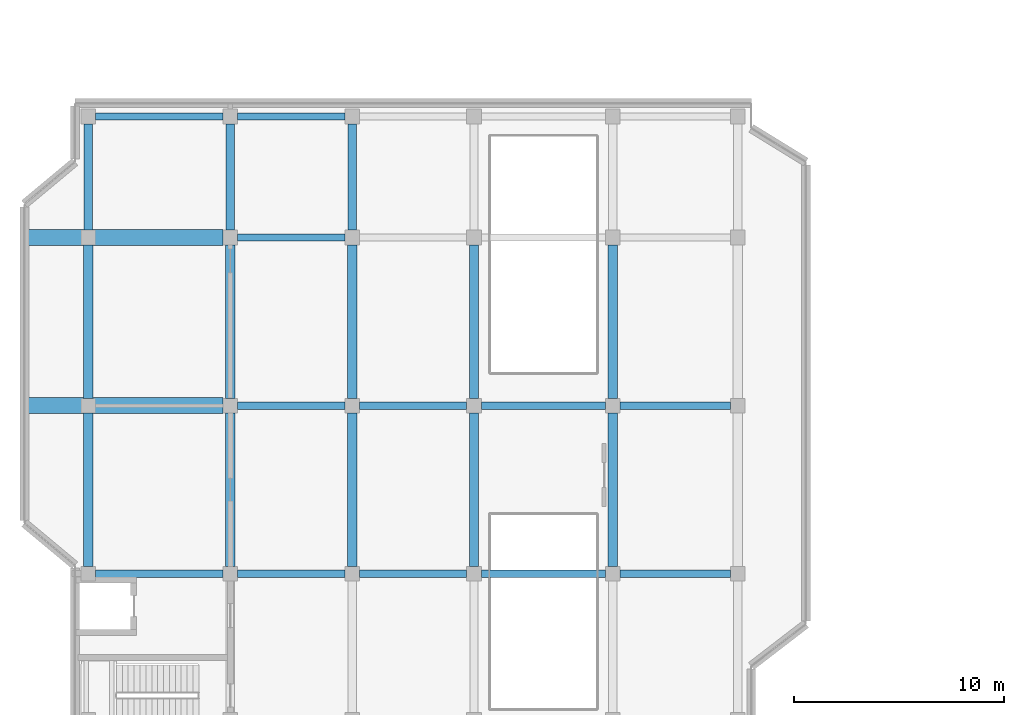
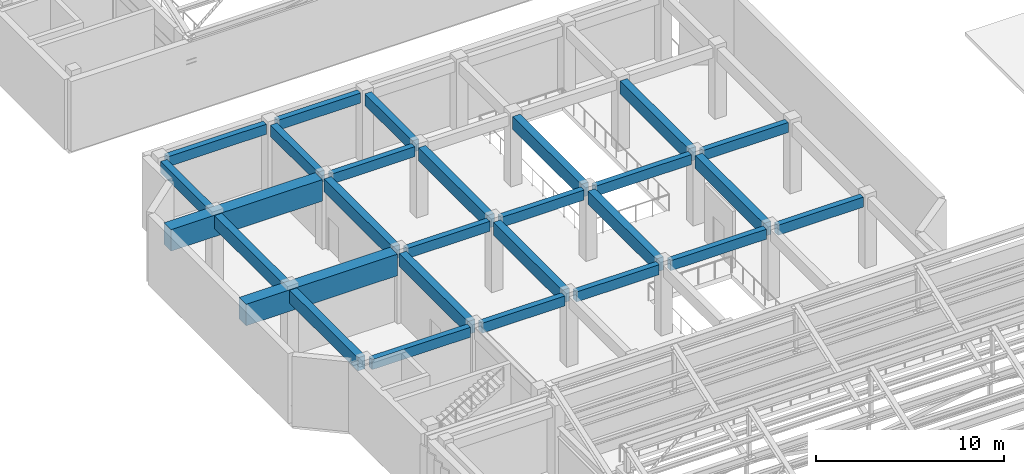
# One storey, part 16 of 76: 27 beams.
"""IFC4 building model written with IfcOpenShell, lengths in metres."""

from ifc_helpers import new_model, si_unit, direction, frame, origin, origin_2d, place, context, subcontext, project, spatial, rectangle, extrude, material, material_profile, profile_set, type_object, element, save


model = new_model("IFC4")

# Units and contexts
model_context = context("Model", 3, precision=1e-05, world=origin(), true_north=direction((0.0, 1.0)))
body_context = subcontext(model_context, "Body", "Model", "MODEL_VIEW")
ifc_project = project(units=[si_unit("LENGTHUNIT", "METRE"), si_unit("AREAUNIT", "SQUARE_METRE"), si_unit("VOLUMEUNIT", "CUBIC_METRE"), si_unit("PLANEANGLEUNIT", "RADIAN"), si_unit("MASSUNIT", "GRAM", prefix="KILO")], contexts=[model_context])

# Site, building, storey
site_placement = place(None, origin())
site = spatial("IfcSite", under=ifc_project, at=site_placement, CompositionType="ELEMENT")
building_placement = place(site_placement, origin())
building = spatial("IfcBuilding", under=site, at=building_placement, Name="Cinchona Park Media Centre", CompositionType="ELEMENT")
storey_placement = place(building_placement, frame((0.0, 0.0, 15.60009765625)))
storey = spatial("IfcBuildingStorey", under=building, at=storey_placement, Name="L03", CompositionType="ELEMENT", Elevation=15.60009765625)

# Beams
ifc_material_1 = material(Name="Concrete C35/45", Category="concrete")
ifc_material_profile_1 = material_profile(ifc_material_1, rectangle(XDim=0.39990234375, YDim=0.75, at=origin_2d()), Name="RB 400X750")
ifc_profile_set_1 = profile_set([ifc_material_profile_1], Name="Concrete C35/45")
beam_type_1 = type_object("IfcBeamType", Name="BEAM-B01-RB400X750", PredefinedType="BEAM", material=ifc_profile_set_1)
for number, where, z_axis, x_axis, name in (
    (1, (8.639892578125, 87.949951171875, 4.1748046875), (0.0, 1.0, 0.0), (-1.0, 0.0, 0.0), "Girder B01 L03"),
    (2, (15.39990234375, 87.949951171875, 4.1748046875), (0.0, 1.0, 0.0), (-1.0, 0.0, 0.0), "Girder B01 L03"),
    (3, (21.199951171875, 87.949951171875, 4.1748046875), (0.0, 1.0, 0.0), (-1.0, 0.0, 0.0), "Girder B01 L03"),
):
    element("IfcBeam", number, at=place(storey_placement, frame(where, z_axis=z_axis, x_axis=x_axis)), inside=storey, type_object=beam_type_1, Name=name, PredefinedType="BEAM", context=body_context, shape_type="SweptSolid", body=[
        extrude(rectangle(XDim=0.39990234375, YDim=0.75, at=origin_2d()), origin(), (0.0, 0.0, 1.0), 5.06005859375),
    ])
ifc_material_2 = material(Name="Concrete C35/45", Category="concrete")
ifc_material_profile_2 = material_profile(ifc_material_2, rectangle(XDim=0.449951171875, YDim=0.85009765625, at=origin_2d()), Name="RB 450X850")
ifc_profile_set_2 = profile_set([ifc_material_profile_2], Name="Concrete C35/45")
beam_type_2 = type_object("IfcBeamType", Name="BEAM-B02-RB450X850", PredefinedType="BEAM", material=ifc_profile_set_2)
for number, where, z_axis, x_axis, name in (
    (4, (8.639892578125, 71.949951171875, 4.125), (0.0, 1.0, 0.0), (-1.0, 0.0, 0.0), "Girder B02 L03"),
    (5, (8.639892578125, 79.949951171875, 4.125), (0.0, 1.0, 0.0), (-1.0, 0.0, 0.0), "Girder B02 L03"),
    (6, (15.39990234375, 71.949951171875, 4.125), (0.0, 1.0, 0.0), (-1.0, 0.0, 0.0), "Girder B02 L03"),
    (7, (15.39990234375, 79.949951171875, 4.125), (0.0, 1.0, 0.0), (-1.0, 0.0, 0.0), "Girder B02 L03"),
    (8, (21.199951171875, 71.949951171875, 4.125), (0.0, 1.0, 0.0), (-1.0, 0.0, 0.0), "Girder B02 L03"),
    (9, (21.199951171875, 79.949951171875, 4.125), (0.0, 1.0, 0.0), (-1.0, 0.0, 0.0), "Girder B02 L03"),
    (10, (27.0, 71.949951171875, 4.125), (0.0, 1.0, 0.0), (-1.0, 0.0, 0.0), "Girder B02 L03"),
    (11, (27.0, 79.949951171875, 4.125), (0.0, 1.0, 0.0), (-1.0, 0.0, 0.0), "Girder B02 L03"),
    (12, (33.60009765625, 71.949951171875, 4.125), (0.0, 1.0, 0.0), (-1.0, 0.0, 0.0), "Girder B02 L03"),
    (13, (33.60009765625, 79.949951171875, 4.125), (0.0, 1.0, 0.0), (-1.0, 0.0, 0.0), "Girder B02 L03"),
):
    element("IfcBeam", number, at=place(storey_placement, frame(where, z_axis=z_axis, x_axis=x_axis)), inside=storey, type_object=beam_type_2, Name=name, PredefinedType="BEAM", context=body_context, shape_type="SweptSolid", body=[
        extrude(rectangle(XDim=0.449951171875, YDim=0.85009765625, at=origin_2d()), origin(), (0.0, 0.0, 1.0), 7.300048828125),
    ])
ifc_material_3 = material(Name="Concrete C35/45", Category="concrete")
ifc_material_profile_3 = material_profile(ifc_material_3, rectangle(XDim=0.35009765625, YDim=0.64990234375, at=origin_2d()), Name="RB 350X650")
ifc_profile_set_3 = profile_set([ifc_material_profile_3], Name="Concrete C35/45")
beam_type_3 = type_object("IfcBeamType", Name="BEAM-B04-RB350X650", PredefinedType="BEAM", material=ifc_profile_set_3)
beam_1_placement = place(storey_placement, frame((8.989990234375, 71.60009765625, 4.224853515625), z_axis=(1.0, 0.0, 0.0), x_axis=(0.0, 1.0, 0.0)))
element("IfcBeam", 14, at=beam_1_placement, inside=storey, type_object=beam_type_3, Name="Beam B04 L03", PredefinedType="BEAM", context=body_context, shape_type="SweptSolid", body=[
    extrude(rectangle(XDim=0.35009765625, YDim=0.64990234375, at=origin_2d()), origin(), (0.0, 0.0, 1.0), 6.06005859375),
])
beam_2_placement = place(storey_placement, frame((15.75, 71.60009765625, 4.224853515625), z_axis=(1.0, 0.0, 0.0), x_axis=(0.0, 1.0, 0.0)))
element("IfcBeam", 15, at=beam_2_placement, inside=storey, type_object=beam_type_3, Name="Beam B04 L03", PredefinedType="BEAM", context=body_context, shape_type="SweptSolid", body=[
    extrude(rectangle(XDim=0.35009765625, YDim=0.64990234375, at=origin_2d()), origin(), (0.0, 0.0, 1.0), 5.10009765625),
])
beam_3_placement = place(storey_placement, frame((21.550048828125, 71.60009765625, 4.224853515625), z_axis=(1.0, 0.0, 0.0), x_axis=(0.0, 1.0, 0.0)))
element("IfcBeam", 16, at=beam_3_placement, inside=storey, type_object=beam_type_3, Name="Beam B04 L03", PredefinedType="BEAM", context=body_context, shape_type="SweptSolid", body=[
    extrude(rectangle(XDim=0.35009765625, YDim=0.64990234375, at=origin_2d()), origin(), (0.0, 0.0, 1.0), 5.099853515625),
])
beam_4_placement = place(storey_placement, frame((27.35009765625, 71.60009765625, 4.224853515625), z_axis=(1.0, 0.0, 0.0), x_axis=(0.0, 1.0, 0.0)))
element("IfcBeam", 17, at=beam_4_placement, inside=storey, type_object=beam_type_3, Name="Beam B04 L03", PredefinedType="BEAM", context=body_context, shape_type="SweptSolid", body=[
    extrude(rectangle(XDim=0.35009765625, YDim=0.64990234375, at=origin_2d()), origin(), (0.0, 0.0, 1.0), 5.89990234375),
])
beam_5_placement = place(storey_placement, frame((33.949951171875, 71.60009765625, 4.224853515625), z_axis=(1.0, 0.0, 0.0), x_axis=(0.0, 1.0, 0.0)))
element("IfcBeam", 18, at=beam_5_placement, inside=storey, type_object=beam_type_3, Name="Beam B04 L03", PredefinedType="BEAM", context=body_context, shape_type="SweptSolid", body=[
    extrude(rectangle(XDim=0.35009765625, YDim=0.64990234375, at=origin_2d()), origin(), (0.0, 0.0, 1.0), 5.260009765625),
])
beam_6_placement = place(storey_placement, frame((15.75, 79.60009765625, 4.224853515625), z_axis=(1.0, 0.0, 0.0), x_axis=(0.0, 1.0, 0.0)))
element("IfcBeam", 19, at=beam_6_placement, inside=storey, type_object=beam_type_3, Name="Beam B04 L03", PredefinedType="BEAM", context=body_context, shape_type="SweptSolid", body=[
    extrude(rectangle(XDim=0.35009765625, YDim=0.64990234375, at=origin_2d()), origin(), (0.0, 0.0, 1.0), 5.10009765625),
])
beam_7_placement = place(storey_placement, frame((21.550048828125, 79.60009765625, 4.224853515625), z_axis=(1.0, 0.0, 0.0), x_axis=(0.0, 1.0, 0.0)))
element("IfcBeam", 20, at=beam_7_placement, inside=storey, type_object=beam_type_3, Name="Beam B04 L03", PredefinedType="BEAM", context=body_context, shape_type="SweptSolid", body=[
    extrude(rectangle(XDim=0.35009765625, YDim=0.64990234375, at=origin_2d()), origin(), (0.0, 0.0, 1.0), 5.099853515625),
])
beam_8_placement = place(storey_placement, frame((27.35009765625, 79.60009765625, 4.224853515625), z_axis=(1.0, 0.0, 0.0), x_axis=(0.0, 1.0, 0.0)))
element("IfcBeam", 21, at=beam_8_placement, inside=storey, type_object=beam_type_3, Name="Beam B04 L03", PredefinedType="BEAM", context=body_context, shape_type="SweptSolid", body=[
    extrude(rectangle(XDim=0.35009765625, YDim=0.64990234375, at=origin_2d()), origin(), (0.0, 0.0, 1.0), 5.89990234375),
])
beam_9_placement = place(storey_placement, frame((33.949951171875, 79.60009765625, 4.224853515625), z_axis=(1.0, 0.0, 0.0), x_axis=(0.0, 1.0, 0.0)))
element("IfcBeam", 22, at=beam_9_placement, inside=storey, type_object=beam_type_3, Name="Beam B04 L03", PredefinedType="BEAM", context=body_context, shape_type="SweptSolid", body=[
    extrude(rectangle(XDim=0.35009765625, YDim=0.64990234375, at=origin_2d()), origin(), (0.0, 0.0, 1.0), 5.260009765625),
])
beam_10_placement = place(storey_placement, frame((15.75, 87.60009765625, 4.224853515625), z_axis=(1.0, 0.0, 0.0), x_axis=(0.0, 1.0, 0.0)))
element("IfcBeam", 23, at=beam_10_placement, inside=storey, type_object=beam_type_3, Name="Beam B04 L03", PredefinedType="BEAM", context=body_context, shape_type="SweptSolid", body=[
    extrude(rectangle(XDim=0.35009765625, YDim=0.64990234375, at=origin_2d()), origin(), (0.0, 0.0, 1.0), 5.10009765625),
])
beam_11_placement = place(storey_placement, frame((8.989990234375, 93.360107421875, 4.224853515625), z_axis=(1.0, 0.0, 0.0), x_axis=(0.0, 1.0, 0.0)))
element("IfcBeam", 24, at=beam_11_placement, inside=storey, type_object=beam_type_3, Name="Beam B04 L03", PredefinedType="BEAM", context=body_context, shape_type="SweptSolid", body=[
    extrude(rectangle(XDim=0.35009765625, YDim=0.64990234375, at=origin_2d()), origin(), (0.0, 0.0, 1.0), 6.06005859375),
])
beam_12_placement = place(storey_placement, frame((15.75, 93.360107421875, 4.224853515625), z_axis=(1.0, 0.0, 0.0), x_axis=(0.0, 1.0, 0.0)))
element("IfcBeam", 25, at=beam_12_placement, inside=storey, type_object=beam_type_3, Name="Beam B04 L03", PredefinedType="BEAM", context=body_context, shape_type="SweptSolid", body=[
    extrude(rectangle(XDim=0.35009765625, YDim=0.64990234375, at=origin_2d()), origin(), (0.0, 0.0, 1.0), 5.10009765625),
])
ifc_material_4 = material(Name="Concrete C40/50", Category="concrete")
ifc_material_profile_4 = material_profile(ifc_material_4, rectangle(XDim=0.75, YDim=1.39990234375, at=origin_2d()), Name="RTG 750X1400")
ifc_profile_set_4 = profile_set([ifc_material_profile_4], Name="Concrete C40/50")
beam_type_4 = type_object("IfcBeamType", Name="BEAM-TG01-RTG750X1400", PredefinedType="USERDEFINED", material=ifc_profile_set_4)
for number, where, z_axis, x_axis, name in (
    (26, (5.75, 79.60009765625, 3.864990234375), (1.0, 0.0, 0.0), (0.0, 1.0, 0.0), "Cantilever Auditorium Transfer Girder TG01 L03"),
    (27, (5.75, 87.60009765625, 3.864990234375), (1.0, 0.0, 0.0), (0.0, 1.0, 0.0), "Cantilever Auditorium Transfer Girder TG01 L03"),
):
    element("IfcBeam", number, at=place(storey_placement, frame(where, z_axis=z_axis, x_axis=x_axis)), inside=storey, type_object=beam_type_4, Name=name, ObjectType="TRANSFER GIRDER", PredefinedType="USERDEFINED", context=body_context, shape_type="SweptSolid", body=[
        extrude(rectangle(XDim=0.75, YDim=1.39990234375, at=origin_2d()), origin(), (0.0, 0.0, 1.0), 9.300048828125),
    ])

save(model, "model.ifc")
